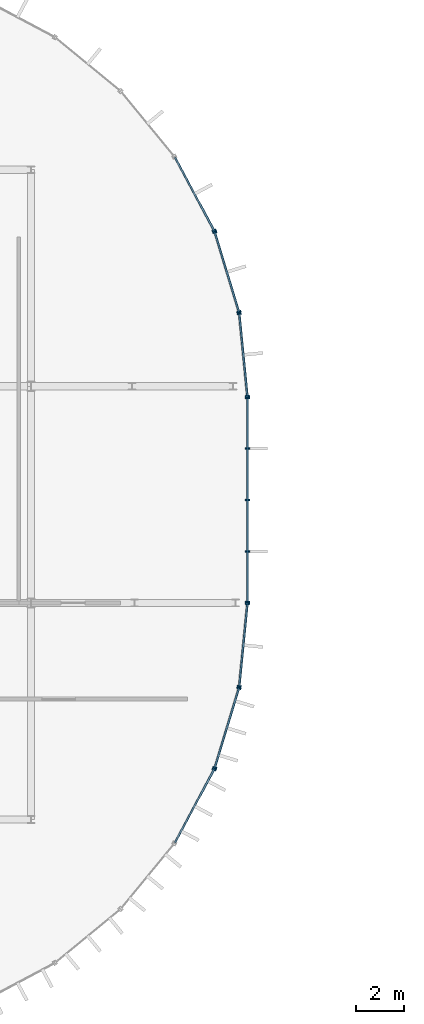
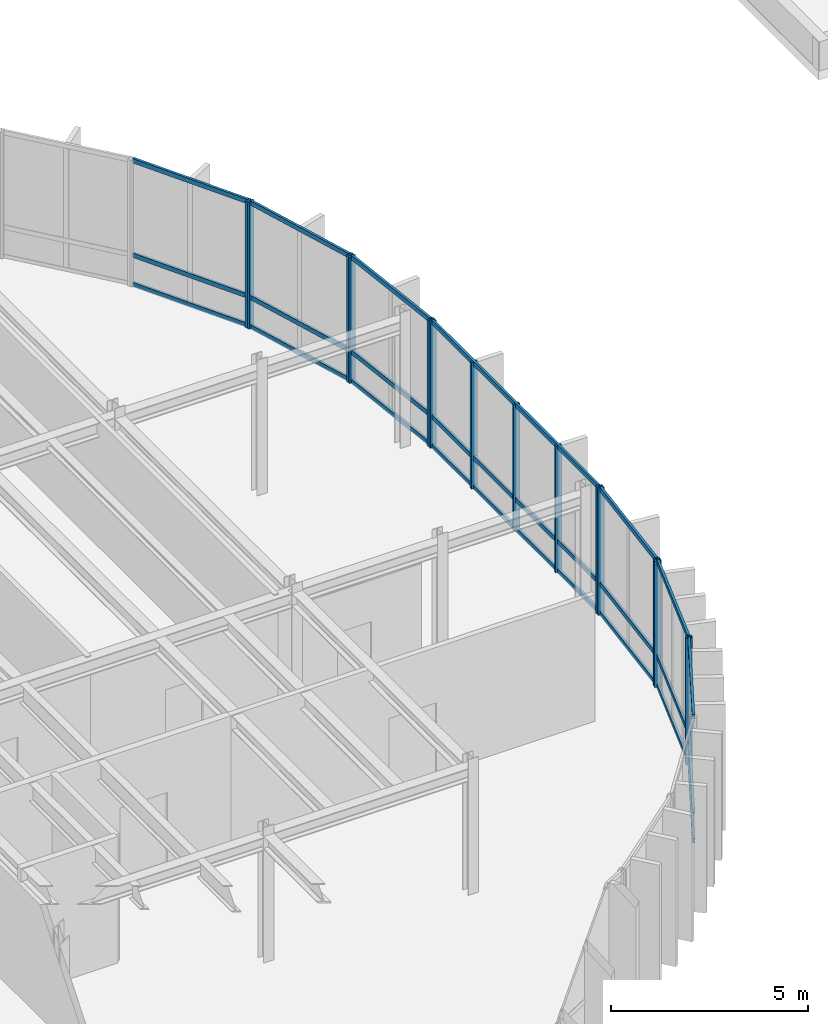
# One storey, part 15 of 27: 36 members, 7 elements without a shape of their own.
"""IFC4 building model written with IfcOpenShell, lengths in metres."""

from ifc_helpers import new_model, si_unit, direction, frame, origin, origin_2d, place, context, subcontext, project, spatial, rectangle, extrude, material, layer, layer_set, material_profile, profile_set, type_object, element, aggregate, save


model = new_model("IFC4")

# Units and contexts
model_context = context("Model", 3, precision=1e-05, world=origin(), true_north=direction((0.0, 1.0)))
body_context = subcontext(model_context, "Body", "Model", "MODEL_VIEW")
ifc_project = project(units=[si_unit("LENGTHUNIT", "METRE"), si_unit("AREAUNIT", "SQUARE_METRE"), si_unit("VOLUMEUNIT", "CUBIC_METRE"), si_unit("PLANEANGLEUNIT", "RADIAN"), si_unit("MASSUNIT", "GRAM", prefix="KILO")], contexts=[model_context])

# Site, building, storey
site_placement = place(None, origin())
site = spatial("IfcSite", under=ifc_project, at=site_placement, CompositionType="ELEMENT")
building_placement = place(site_placement, origin())
building = spatial("IfcBuilding", under=site, at=building_placement, Name="Montealbar Specialist Clinic", CompositionType="ELEMENT")
storey_placement = place(building_placement, frame((0.0, 0.0, 18.0)))
storey = spatial("IfcBuildingStorey", under=building, at=storey_placement, Name="L04", CompositionType="ELEMENT", Elevation=18.0)

# Curtain wall, member
ifc_material_1 = material(Name="Low-E double glazing", Category="glass")
ifc_layer_1 = layer(ifc_material_1, 0.199951171875, Name="Low-E double glazing", Category="glass")
ifc_layer_set_1 = layer_set([ifc_layer_1], Name="Low-E double glazing")
curtain_wall_type_1 = type_object("IfcCurtainWallType", Name="CW-TYPE-29", PredefinedType="NOTDEFINED", material=ifc_layer_set_1)
curtain_wall_1_placement = place(storey_placement, origin())
curtain_wall_1 = element("IfcCurtainWall", 1, at=curtain_wall_1_placement, inside=storey, type_object=curtain_wall_type_1, Name="Unitised Curtain Wall CW-L04-1170-366-1186-334-180", PredefinedType="NOTDEFINED")
ifc_material_2 = material(Name="Anodised aluminium EN AW-6063", Category="aluminium")
ifc_material_profile_1 = material_profile(ifc_material_2, rectangle(XDim=0.070068359375, YDim=0.179931640625, at=origin_2d()), Name="ALU 70x180", Category="aluminium")
ifc_profile_set_1 = profile_set([ifc_material_profile_1], Name="Anodised aluminium EN AW-6063")
member_type_1 = type_object("IfcMemberType", Name="CW-MUL-200", PredefinedType="MULLION", material=ifc_profile_set_1)
member_1_placement = place(storey_placement, frame((118.611083984375, 33.472900390625, 0.0), z_axis=(0.0, 0.0, 1.0), x_axis=(0.471529268958, -0.881850411644, 0.0)))
member_1 = element("IfcMember", 2, at=member_1_placement, type_object=member_type_1, Name="Curtain Wall Mullion CW-L04-1170-366-1186-334-180-01", PredefinedType="MULLION", context=body_context, shape_type="SweptSolid", body=[
    extrude(rectangle(XDim=0.070068359375, YDim=0.179931640625, at=origin_2d()), origin(), (0.0, 0.0, 1.0), 3.919921875),
])

# Curtain wall, members
curtain_wall_2_placement = place(storey_placement, origin())
curtain_wall_2 = element("IfcCurtainWall", 3, at=curtain_wall_2_placement, inside=storey, type_object=curtain_wall_type_1, Name="Unitised Curtain Wall CW-L04-1186-334-1197-301-180", PredefinedType="NOTDEFINED")
member_2_placement = place(storey_placement, frame((118.64208984375, 33.39990234375, 0.0), z_axis=(0.0, 0.0, 1.0), x_axis=(0.290259134399, -0.956948083701, 0.0)))
member_2 = element("IfcMember", 4, at=member_2_placement, type_object=member_type_1, Name="Curtain Wall Mullion CW-L04-1186-334-1197-301-180-00", PredefinedType="MULLION", context=body_context, shape_type="SweptSolid", body=[
    extrude(rectangle(XDim=0.070068359375, YDim=0.179931640625, at=origin_2d()), origin(), (0.0, 0.0, 1.0), 3.919921875),
])
member_3_placement = place(storey_placement, frame((119.64208984375, 30.10009765625, 0.0), z_axis=(0.0, 0.0, 1.0), x_axis=(0.290259134399, -0.956948083701, 0.0)))
member_3 = element("IfcMember", 5, at=member_3_placement, type_object=member_type_1, Name="Curtain Wall Mullion CW-L04-1186-334-1197-301-180-01", PredefinedType="MULLION", context=body_context, shape_type="SweptSolid", body=[
    extrude(rectangle(XDim=0.070068359375, YDim=0.179931640625, at=origin_2d()), origin(), (0.0, 0.0, 1.0), 3.919921875),
])

curtain_wall_3_placement = place(storey_placement, origin())
curtain_wall_3 = element("IfcCurtainWall", 6, at=curtain_wall_3_placement, inside=storey, type_object=curtain_wall_type_1, Name="Unitised Curtain Wall CW-L04-1197-301-1200-266-180", PredefinedType="NOTDEFINED")
member_4_placement = place(storey_placement, frame((119.657958984375, 30.02197265625, 0.0), z_axis=(0.0, 0.0, 1.0), x_axis=(0.098044697094, -0.995182012183, 0.0)))
member_4 = element("IfcMember", 7, at=member_4_placement, type_object=member_type_1, Name="Curtain Wall Mullion CW-L04-1197-301-1200-266-180-00", PredefinedType="MULLION", context=body_context, shape_type="SweptSolid", body=[
    extrude(rectangle(XDim=0.070068359375, YDim=0.179931640625, at=origin_2d()), origin(), (0.0, 0.0, 1.0), 3.919921875),
])
member_5_placement = place(storey_placement, frame((119.99609375, 26.590087890625, 0.0), z_axis=(0.0, 0.0, 1.0), x_axis=(0.098044697094, -0.995182012183, 0.0)))
member_5 = element("IfcMember", 8, at=member_5_placement, type_object=member_type_1, Name="Curtain Wall Mullion CW-L04-1197-301-1200-266-180-01", PredefinedType="MULLION", context=body_context, shape_type="SweptSolid", body=[
    extrude(rectangle(XDim=0.070068359375, YDim=0.179931640625, at=origin_2d()), origin(), (0.0, 0.0, 1.0), 3.919921875),
])

ifc_layer_2 = layer(ifc_material_1, 0.199951171875, Name="Low-E double glazing", Category="glass")
ifc_layer_set_2 = layer_set([ifc_layer_2], Name="Low-E double glazing")
curtain_wall_type_2 = type_object("IfcCurtainWallType", Name="CW-TYPE-31", PredefinedType="NOTDEFINED", material=ifc_layer_set_2)
curtain_wall_4_placement = place(storey_placement, origin())
curtain_wall_4 = element("IfcCurtainWall", 9, at=curtain_wall_4_placement, inside=storey, type_object=curtain_wall_type_2, Name="Unitised Curtain Wall CW-L04-1200-266-1200-180-180", PredefinedType="NOTDEFINED")
member_6_placement = place(storey_placement, frame((120.0, 26.510009765625, 0.0), z_axis=(0.0, 0.0, 1.0), x_axis=(0.0, -1.0, 0.0)))
member_6 = element("IfcMember", 10, at=member_6_placement, type_object=member_type_1, Name="Curtain Wall Mullion CW-L04-1200-266-1200-180-180-00", PredefinedType="MULLION", context=body_context, shape_type="SweptSolid", body=[
    extrude(rectangle(XDim=0.070068359375, YDim=0.179931640625, at=origin_2d()), origin(), (0.0, 0.0, 1.0), 3.919921875),
])
member_7_placement = place(storey_placement, frame((120.0, 24.4130859375, 0.0), z_axis=(0.0, 0.0, 1.0), x_axis=(0.0, -1.0, 0.0)))
member_7 = element("IfcMember", 11, at=member_7_placement, type_object=member_type_1, Name="Curtain Wall Mullion CW-L04-1200-266-1200-180-180-01", PredefinedType="MULLION", context=body_context, shape_type="SweptSolid", body=[
    extrude(rectangle(XDim=0.070068359375, YDim=0.179931640625, at=origin_2d()), origin(), (0.0, 0.0, 1.0), 3.919921875),
])
member_8_placement = place(storey_placement, frame((120.0, 22.27490234375, 0.0), z_axis=(0.0, 0.0, 1.0), x_axis=(0.0, -1.0, 0.0)))
member_8 = element("IfcMember", 12, at=member_8_placement, type_object=member_type_1, Name="Curtain Wall Mullion CW-L04-1200-266-1200-180-180-02", PredefinedType="MULLION", context=body_context, shape_type="SweptSolid", body=[
    extrude(rectangle(XDim=0.070068359375, YDim=0.179931640625, at=origin_2d()), origin(), (0.0, 0.0, 1.0), 3.919921875),
])
member_9_placement = place(storey_placement, frame((120.0, 20.136962890625, 0.0), z_axis=(0.0, 0.0, 1.0), x_axis=(0.0, -1.0, 0.0)))
member_9 = element("IfcMember", 13, at=member_9_placement, type_object=member_type_1, Name="Curtain Wall Mullion CW-L04-1200-266-1200-180-180-03", PredefinedType="MULLION", context=body_context, shape_type="SweptSolid", body=[
    extrude(rectangle(XDim=0.070068359375, YDim=0.179931640625, at=origin_2d()), origin(), (0.0, 0.0, 1.0), 3.919921875),
])
member_10_placement = place(storey_placement, frame((120.0, 18.0400390625, 0.0), z_axis=(0.0, 0.0, 1.0), x_axis=(0.0, -1.0, 0.0)))
member_10 = element("IfcMember", 14, at=member_10_placement, type_object=member_type_1, Name="Curtain Wall Mullion CW-L04-1200-266-1200-180-180-04", PredefinedType="MULLION", context=body_context, shape_type="SweptSolid", body=[
    extrude(rectangle(XDim=0.070068359375, YDim=0.179931640625, at=origin_2d()), origin(), (0.0, 0.0, 1.0), 3.919921875),
])

curtain_wall_5_placement = place(storey_placement, origin())
curtain_wall_5 = element("IfcCurtainWall", 15, at=curtain_wall_5_placement, inside=storey, type_object=curtain_wall_type_1, Name="Unitised Curtain Wall CW-L04-1200-180-1197-145-180", PredefinedType="NOTDEFINED")
member_11_placement = place(storey_placement, frame((119.99609375, 17.9599609375, 0.0), z_axis=(0.0, 0.0, 1.0), x_axis=(-0.098044697094, -0.995182012183, 0.0)))
member_11 = element("IfcMember", 16, at=member_11_placement, type_object=member_type_1, Name="Curtain Wall Mullion CW-L04-1200-180-1197-145-180-00", PredefinedType="MULLION", context=body_context, shape_type="SweptSolid", body=[
    extrude(rectangle(XDim=0.070068359375, YDim=0.179931640625, at=origin_2d()), origin(), (0.0, 0.0, 1.0), 3.919921875),
])
member_12_placement = place(storey_placement, frame((119.657958984375, 14.528076171875, 0.0), z_axis=(0.0, 0.0, 1.0), x_axis=(-0.098044697094, -0.995182012183, 0.0)))
member_12 = element("IfcMember", 17, at=member_12_placement, type_object=member_type_1, Name="Curtain Wall Mullion CW-L04-1200-180-1197-145-180-01", PredefinedType="MULLION", context=body_context, shape_type="SweptSolid", body=[
    extrude(rectangle(XDim=0.070068359375, YDim=0.179931640625, at=origin_2d()), origin(), (0.0, 0.0, 1.0), 3.919921875),
])

curtain_wall_6_placement = place(storey_placement, origin())
curtain_wall_6 = element("IfcCurtainWall", 18, at=curtain_wall_6_placement, inside=storey, type_object=curtain_wall_type_1, Name="Unitised Curtain Wall CW-L04-1197-145-1186-111-180", PredefinedType="NOTDEFINED")
member_13_placement = place(storey_placement, frame((119.64208984375, 14.449951171875, 0.0), z_axis=(0.0, 0.0, 1.0), x_axis=(-0.290259134399, -0.956948083701, 0.0)))
member_13 = element("IfcMember", 19, at=member_13_placement, type_object=member_type_1, Name="Curtain Wall Mullion CW-L04-1197-145-1186-111-180-00", PredefinedType="MULLION", context=body_context, shape_type="SweptSolid", body=[
    extrude(rectangle(XDim=0.070068359375, YDim=0.179931640625, at=origin_2d()), origin(), (0.0, 0.0, 1.0), 3.919921875),
])
member_14_placement = place(storey_placement, frame((118.64208984375, 11.14990234375, 0.0), z_axis=(0.0, 0.0, 1.0), x_axis=(-0.290259134399, -0.956948083701, 0.0)))
member_14 = element("IfcMember", 20, at=member_14_placement, type_object=member_type_1, Name="Curtain Wall Mullion CW-L04-1197-145-1186-111-180-01", PredefinedType="MULLION", context=body_context, shape_type="SweptSolid", body=[
    extrude(rectangle(XDim=0.070068359375, YDim=0.179931640625, at=origin_2d()), origin(), (0.0, 0.0, 1.0), 3.919921875),
])

# Curtain wall, member
curtain_wall_7_placement = place(storey_placement, origin())
curtain_wall_7 = element("IfcCurtainWall", 21, at=curtain_wall_7_placement, inside=storey, type_object=curtain_wall_type_1, Name="Unitised Curtain Wall CW-L04-1186-111-1170-80-180", PredefinedType="NOTDEFINED")
member_15_placement = place(storey_placement, frame((118.611083984375, 11.076904296875, 0.0), z_axis=(0.0, 0.0, 1.0), x_axis=(-0.471529268958, -0.881850411644, 0.0)))
member_15 = element("IfcMember", 22, at=member_15_placement, type_object=member_type_1, Name="Curtain Wall Mullion CW-L04-1186-111-1170-80-180-00", PredefinedType="MULLION", context=body_context, shape_type="SweptSolid", body=[
    extrude(rectangle(XDim=0.070068359375, YDim=0.179931640625, at=origin_2d()), origin(), (0.0, 0.0, 1.0), 3.919921875),
])

# Member
ifc_material_3 = material(Name="Powder-coated aluminium", Category="aluminium")
ifc_material_profile_2 = material_profile(ifc_material_3, rectangle(XDim=0.070068359375, YDim=0.139892578125, at=origin_2d()), Name="ALU 70x140", Category="aluminium")
ifc_profile_set_2 = profile_set([ifc_material_profile_2], Name="Powder-coated aluminium")
member_type_2 = type_object("IfcMemberType", Name="CW-TRN-140", PredefinedType="USERDEFINED", material=ifc_profile_set_2)
member_16_placement = place(storey_placement, frame((116.989990234375, 36.506103515625, 0.0400390625), z_axis=(0.471286558069, -0.881980147273, 0.0), x_axis=(0.881980147273, 0.471286558069, 0.0)))
member_16 = element("IfcMember", 23, at=member_16_placement, type_object=member_type_2, Name="Curtain Wall Transom CW-L04-1170-366-1186-334-180-00", ObjectType="TRANSOM", PredefinedType="USERDEFINED", context=body_context, shape_type="SweptSolid", body=[
    extrude(rectangle(XDim=0.070068359375, YDim=0.139892578125, at=origin_2d()), origin(), (0.0, 0.0, 1.0), 3.428955078125),
])

member_17_placement = place(storey_placement, frame((116.989990234375, 36.506103515625, 0.949951171875), z_axis=(0.471286558069, -0.881980147273, 0.0), x_axis=(0.881980147273, 0.471286558069, 0.0)))
member_17 = element("IfcMember", 24, at=member_17_placement, type_object=member_type_2, Name="Curtain Wall Transom CW-L04-1170-366-1186-334-180-01", ObjectType="TRANSOM", PredefinedType="USERDEFINED", context=body_context, shape_type="SweptSolid", body=[
    extrude(rectangle(XDim=0.070068359375, YDim=0.139892578125, at=origin_2d()), origin(), (0.0, 0.0, 1.0), 3.428955078125),
])

member_18_placement = place(storey_placement, frame((116.989990234375, 36.506103515625, 3.8798828125), z_axis=(0.471286558069, -0.881980147273, 0.0), x_axis=(0.881980147273, 0.471286558069, 0.0)))
member_18 = element("IfcMember", 25, at=member_18_placement, type_object=member_type_2, Name="Curtain Wall Transom CW-L04-1170-366-1186-334-180-02", ObjectType="TRANSOM", PredefinedType="USERDEFINED", context=body_context, shape_type="SweptSolid", body=[
    extrude(rectangle(XDim=0.070068359375, YDim=0.139892578125, at=origin_2d()), origin(), (0.0, 0.0, 1.0), 3.428955078125),
])

aggregate(curtain_wall_1, [member_1, member_16, member_17, member_18])

member_19_placement = place(storey_placement, frame((118.64501953125, 33.389892578125, 0.0400390625), z_axis=(0.290013326855, -0.957022606967, 0.0), x_axis=(0.957022606967, 0.290013326855, 0.0)))
member_19 = element("IfcMember", 26, at=member_19_placement, type_object=member_type_2, Name="Curtain Wall Transom CW-L04-1186-334-1197-301-180-00", ObjectType="TRANSOM", PredefinedType="USERDEFINED", context=body_context, shape_type="SweptSolid", body=[
    extrude(rectangle(XDim=0.070068359375, YDim=0.139892578125, at=origin_2d()), origin(), (0.0, 0.0, 1.0), 3.427001953125),
])

member_20_placement = place(storey_placement, frame((118.64501953125, 33.389892578125, 0.949951171875), z_axis=(0.290013326855, -0.957022606967, 0.0), x_axis=(0.957022606967, 0.290013326855, 0.0)))
member_20 = element("IfcMember", 27, at=member_20_placement, type_object=member_type_2, Name="Curtain Wall Transom CW-L04-1186-334-1197-301-180-01", ObjectType="TRANSOM", PredefinedType="USERDEFINED", context=body_context, shape_type="SweptSolid", body=[
    extrude(rectangle(XDim=0.070068359375, YDim=0.139892578125, at=origin_2d()), origin(), (0.0, 0.0, 1.0), 3.427001953125),
])

member_21_placement = place(storey_placement, frame((118.64501953125, 33.389892578125, 3.8798828125), z_axis=(0.290013326855, -0.957022606967, 0.0), x_axis=(0.957022606967, 0.290013326855, 0.0)))
member_21 = element("IfcMember", 28, at=member_21_placement, type_object=member_type_2, Name="Curtain Wall Transom CW-L04-1186-334-1197-301-180-02", ObjectType="TRANSOM", PredefinedType="USERDEFINED", context=body_context, shape_type="SweptSolid", body=[
    extrude(rectangle(XDim=0.070068359375, YDim=0.139892578125, at=origin_2d()), origin(), (0.0, 0.0, 1.0), 3.427001953125),
])

aggregate(curtain_wall_2, [member_2, member_3, member_19, member_20, member_21])

member_22_placement = place(storey_placement, frame((119.658935546875, 30.011962890625, 0.0400390625), z_axis=(0.098058232162, -0.995180678623, 0.0), x_axis=(0.995180678623, 0.098058232162, 0.0)))
member_22 = element("IfcMember", 29, at=member_22_placement, type_object=member_type_2, Name="Curtain Wall Transom CW-L04-1197-301-1200-266-180-00", ObjectType="TRANSOM", PredefinedType="USERDEFINED", context=body_context, shape_type="SweptSolid", body=[
    extrude(rectangle(XDim=0.070068359375, YDim=0.139892578125, at=origin_2d()), origin(), (0.0, 0.0, 1.0), 3.428466796875),
])

member_23_placement = place(storey_placement, frame((119.658935546875, 30.011962890625, 0.949951171875), z_axis=(0.098058232162, -0.995180678623, 0.0), x_axis=(0.995180678623, 0.098058232162, 0.0)))
member_23 = element("IfcMember", 30, at=member_23_placement, type_object=member_type_2, Name="Curtain Wall Transom CW-L04-1197-301-1200-266-180-01", ObjectType="TRANSOM", PredefinedType="USERDEFINED", context=body_context, shape_type="SweptSolid", body=[
    extrude(rectangle(XDim=0.070068359375, YDim=0.139892578125, at=origin_2d()), origin(), (0.0, 0.0, 1.0), 3.428466796875),
])

member_24_placement = place(storey_placement, frame((119.658935546875, 30.011962890625, 3.8798828125), z_axis=(0.098058232162, -0.995180678623, 0.0), x_axis=(0.995180678623, 0.098058232162, 0.0)))
member_24 = element("IfcMember", 31, at=member_24_placement, type_object=member_type_2, Name="Curtain Wall Transom CW-L04-1197-301-1200-266-180-02", ObjectType="TRANSOM", PredefinedType="USERDEFINED", context=body_context, shape_type="SweptSolid", body=[
    extrude(rectangle(XDim=0.070068359375, YDim=0.139892578125, at=origin_2d()), origin(), (0.0, 0.0, 1.0), 3.428466796875),
])

aggregate(curtain_wall_3, [member_4, member_5, member_22, member_23, member_24])

member_25_placement = place(storey_placement, frame((120.0, 26.5, 0.0400390625), z_axis=(0.0, -1.0, 0.0), x_axis=(1.0, 0.0, 0.0)))
member_25 = element("IfcMember", 32, at=member_25_placement, type_object=member_type_2, Name="Curtain Wall Transom CW-L04-1200-266-1200-180-180-00", ObjectType="TRANSOM", PredefinedType="USERDEFINED", context=body_context, shape_type="SweptSolid", body=[
    extrude(rectangle(XDim=0.070068359375, YDim=0.139892578125, at=origin_2d()), origin(), (0.0, 0.0, 1.0), 8.449951171875),
])

member_26_placement = place(storey_placement, frame((120.0, 26.5, 0.949951171875), z_axis=(0.0, -1.0, 0.0), x_axis=(1.0, 0.0, 0.0)))
member_26 = element("IfcMember", 33, at=member_26_placement, type_object=member_type_2, Name="Curtain Wall Transom CW-L04-1200-266-1200-180-180-01", ObjectType="TRANSOM", PredefinedType="USERDEFINED", context=body_context, shape_type="SweptSolid", body=[
    extrude(rectangle(XDim=0.070068359375, YDim=0.139892578125, at=origin_2d()), origin(), (0.0, 0.0, 1.0), 8.449951171875),
])

member_27_placement = place(storey_placement, frame((120.0, 26.5, 3.8798828125), z_axis=(0.0, -1.0, 0.0), x_axis=(1.0, 0.0, 0.0)))
member_27 = element("IfcMember", 34, at=member_27_placement, type_object=member_type_2, Name="Curtain Wall Transom CW-L04-1200-266-1200-180-180-02", ObjectType="TRANSOM", PredefinedType="USERDEFINED", context=body_context, shape_type="SweptSolid", body=[
    extrude(rectangle(XDim=0.070068359375, YDim=0.139892578125, at=origin_2d()), origin(), (0.0, 0.0, 1.0), 8.449951171875),
])

aggregate(curtain_wall_4, [member_6, member_7, member_8, member_9, member_10, member_25, member_26, member_27])

member_28_placement = place(storey_placement, frame((119.9951171875, 17.949951171875, 0.0400390625), z_axis=(-0.098058232162, -0.995180678623, 0.0), x_axis=(0.995180678623, -0.098058232162, 0.0)))
member_28 = element("IfcMember", 35, at=member_28_placement, type_object=member_type_2, Name="Curtain Wall Transom CW-L04-1200-180-1197-145-180-00", ObjectType="TRANSOM", PredefinedType="USERDEFINED", context=body_context, shape_type="SweptSolid", body=[
    extrude(rectangle(XDim=0.070068359375, YDim=0.139892578125, at=origin_2d()), origin(), (0.0, 0.0, 1.0), 3.428466796875),
])

member_29_placement = place(storey_placement, frame((119.9951171875, 17.949951171875, 0.949951171875), z_axis=(-0.098058232162, -0.995180678623, 0.0), x_axis=(0.995180678623, -0.098058232162, 0.0)))
member_29 = element("IfcMember", 36, at=member_29_placement, type_object=member_type_2, Name="Curtain Wall Transom CW-L04-1200-180-1197-145-180-01", ObjectType="TRANSOM", PredefinedType="USERDEFINED", context=body_context, shape_type="SweptSolid", body=[
    extrude(rectangle(XDim=0.070068359375, YDim=0.139892578125, at=origin_2d()), origin(), (0.0, 0.0, 1.0), 3.428466796875),
])

member_30_placement = place(storey_placement, frame((119.9951171875, 17.949951171875, 3.8798828125), z_axis=(-0.098058232162, -0.995180678623, 0.0), x_axis=(0.995180678623, -0.098058232162, 0.0)))
member_30 = element("IfcMember", 37, at=member_30_placement, type_object=member_type_2, Name="Curtain Wall Transom CW-L04-1200-180-1197-145-180-02", ObjectType="TRANSOM", PredefinedType="USERDEFINED", context=body_context, shape_type="SweptSolid", body=[
    extrude(rectangle(XDim=0.070068359375, YDim=0.139892578125, at=origin_2d()), origin(), (0.0, 0.0, 1.0), 3.428466796875),
])

aggregate(curtain_wall_5, [member_11, member_12, member_28, member_29, member_30])

member_31_placement = place(storey_placement, frame((119.638916015625, 14.43994140625, 0.0400390625), z_axis=(-0.289993555849, -0.957028598092, 0.0), x_axis=(0.957028598092, -0.289993555849, 0.0)))
member_31 = element("IfcMember", 38, at=member_31_placement, type_object=member_type_2, Name="Curtain Wall Transom CW-L04-1197-145-1186-111-180-00", ObjectType="TRANSOM", PredefinedType="USERDEFINED", context=body_context, shape_type="SweptSolid", body=[
    extrude(rectangle(XDim=0.070068359375, YDim=0.139892578125, at=origin_2d()), origin(), (0.0, 0.0, 1.0), 3.42724609375),
])

member_32_placement = place(storey_placement, frame((119.638916015625, 14.43994140625, 0.949951171875), z_axis=(-0.289993555849, -0.957028598092, 0.0), x_axis=(0.957028598092, -0.289993555849, 0.0)))
member_32 = element("IfcMember", 39, at=member_32_placement, type_object=member_type_2, Name="Curtain Wall Transom CW-L04-1197-145-1186-111-180-01", ObjectType="TRANSOM", PredefinedType="USERDEFINED", context=body_context, shape_type="SweptSolid", body=[
    extrude(rectangle(XDim=0.070068359375, YDim=0.139892578125, at=origin_2d()), origin(), (0.0, 0.0, 1.0), 3.42724609375),
])

member_33_placement = place(storey_placement, frame((119.638916015625, 14.43994140625, 3.8798828125), z_axis=(-0.289993555849, -0.957028598092, 0.0), x_axis=(0.957028598092, -0.289993555849, 0.0)))
member_33 = element("IfcMember", 40, at=member_33_placement, type_object=member_type_2, Name="Curtain Wall Transom CW-L04-1197-145-1186-111-180-02", ObjectType="TRANSOM", PredefinedType="USERDEFINED", context=body_context, shape_type="SweptSolid", body=[
    extrude(rectangle(XDim=0.070068359375, YDim=0.139892578125, at=origin_2d()), origin(), (0.0, 0.0, 1.0), 3.42724609375),
])

aggregate(curtain_wall_6, [member_13, member_14, member_31, member_32, member_33])

member_34_placement = place(storey_placement, frame((118.60595703125, 11.068115234375, 0.0400390625), z_axis=(-0.471286558069, -0.881980147273, 0.0), x_axis=(0.881980147273, -0.471286558069, 0.0)))
member_34 = element("IfcMember", 41, at=member_34_placement, type_object=member_type_2, Name="Curtain Wall Transom CW-L04-1186-111-1170-80-180-00", ObjectType="TRANSOM", PredefinedType="USERDEFINED", context=body_context, shape_type="SweptSolid", body=[
    extrude(rectangle(XDim=0.070068359375, YDim=0.139892578125, at=origin_2d()), origin(), (0.0, 0.0, 1.0), 3.428955078125),
])

member_35_placement = place(storey_placement, frame((118.60595703125, 11.068115234375, 0.949951171875), z_axis=(-0.471286558069, -0.881980147273, 0.0), x_axis=(0.881980147273, -0.471286558069, 0.0)))
member_35 = element("IfcMember", 42, at=member_35_placement, type_object=member_type_2, Name="Curtain Wall Transom CW-L04-1186-111-1170-80-180-01", ObjectType="TRANSOM", PredefinedType="USERDEFINED", context=body_context, shape_type="SweptSolid", body=[
    extrude(rectangle(XDim=0.070068359375, YDim=0.139892578125, at=origin_2d()), origin(), (0.0, 0.0, 1.0), 3.428955078125),
])

member_36_placement = place(storey_placement, frame((118.60595703125, 11.068115234375, 3.8798828125), z_axis=(-0.471286558069, -0.881980147273, 0.0), x_axis=(0.881980147273, -0.471286558069, 0.0)))
member_36 = element("IfcMember", 43, at=member_36_placement, type_object=member_type_2, Name="Curtain Wall Transom CW-L04-1186-111-1170-80-180-02", ObjectType="TRANSOM", PredefinedType="USERDEFINED", context=body_context, shape_type="SweptSolid", body=[
    extrude(rectangle(XDim=0.070068359375, YDim=0.139892578125, at=origin_2d()), origin(), (0.0, 0.0, 1.0), 3.428955078125),
])

aggregate(curtain_wall_7, [member_15, member_34, member_35, member_36])

save(model, "model.ifc")
